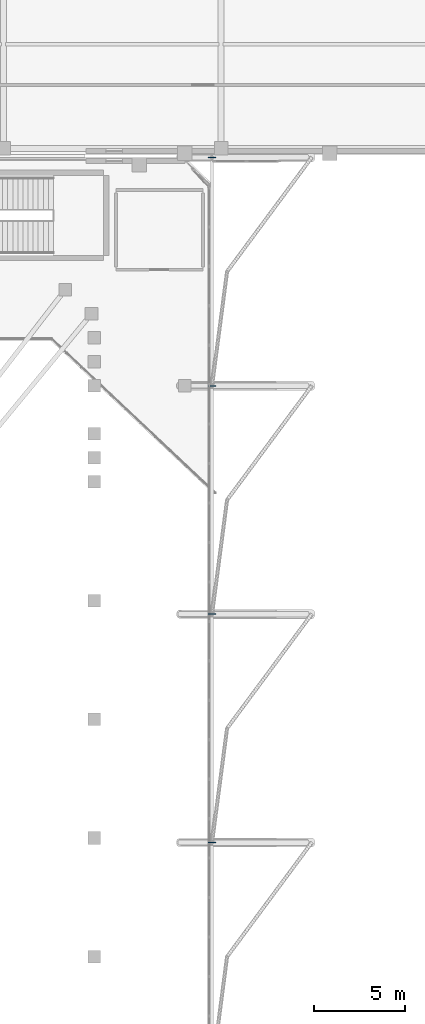
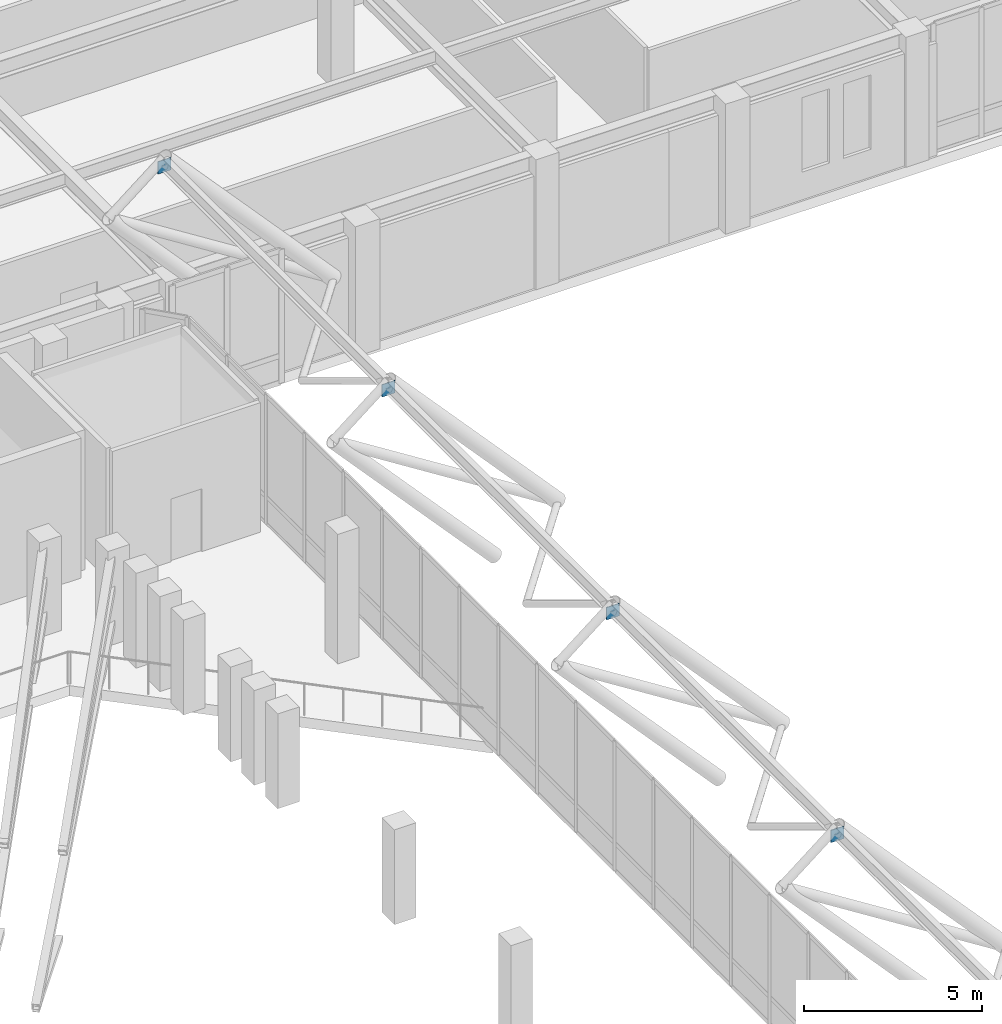
# One storey, part 53 of 79: 4 plates.
"""IFC4 building model written with IfcOpenShell, lengths in metres."""

from ifc_helpers import new_model, si_unit, derived_unit, direction, frame, origin, origin_2d, place, context, subcontext, project, spatial, rectangle, extrude, material, layer, layer_set, type_object, element, save


model = new_model("IFC4")

# Units and contexts
model_context = context("Model", 3, precision=1e-05, world=origin(), true_north=direction((0.0, 1.0)))
body_context = subcontext(model_context, "Body", "Model", "MODEL_VIEW")
ifc_project = project(units=[si_unit("LENGTHUNIT", "METRE"), si_unit("AREAUNIT", "SQUARE_METRE"), si_unit("VOLUMEUNIT", "CUBIC_METRE"), si_unit("PLANEANGLEUNIT", "RADIAN"), si_unit("MASSUNIT", "GRAM", prefix="KILO"), derived_unit("THERMALTRANSMITTANCEUNIT", [(si_unit("MASSUNIT", "GRAM", prefix="KILO"), 1), (si_unit("TIMEUNIT", "SECOND"), -3), (si_unit("THERMODYNAMICTEMPERATUREUNIT", "KELVIN"), -1)])], contexts=[model_context])

# Site, building, storey
site_placement = place(None, origin())
site = spatial("IfcSite", under=ifc_project, at=site_placement, CompositionType="ELEMENT")
building_placement = place(site_placement, origin())
building = spatial("IfcBuilding", under=site, at=building_placement, Name="Valcora Ridge Arena", CompositionType="ELEMENT")
storey_placement = place(building_placement, frame((0.0, 0.0, 16.199951171875)))
storey = spatial("IfcBuildingStorey", under=building, at=storey_placement, Name="L03", CompositionType="ELEMENT", Elevation=16.199951171875)

# Plates
ifc_material = material(Name="Steel ASTM A572 Grade 50", Category="steel")
ifc_layer = layer(ifc_material, 0.031982421875, Name="Steel ASTM A572 Grade 50")
ifc_layer_set = layer_set([ifc_layer], Name="Steel ASTM A572 Grade 50")
plate_type = type_object("IfcPlateType", Name="TY-PLATE-PL-NODE-32", PredefinedType="USERDEFINED", material=ifc_layer_set)
for number, where, z_axis, x_axis, name in (
    (1, (95.5, 70.39990234375, 8.374267578125), (0.0, 0.0, 1.0), (1.0, 0.0, 0.0), "PL-NODE-32 SF-GP-0068"),
    (2, (95.5, 83.0, 8.374267578125), (0.0, 0.0, 1.0), (1.0, 0.0, 0.0), "PL-NODE-32 SF-GP-0082"),
    (3, (95.5, 95.60009765625, 8.374267578125), (0.0, 0.0, 1.0), (1.0, 0.0, 0.0), "PL-NODE-32 SF-GP-0096"),
    (4, (95.5, 108.199951171875, 8.374267578125), (0.0, 0.0, 1.0), (1.0, 0.0, 0.0), "PL-NODE-32 SF-GP-0110"),
):
    element("IfcPlate", number, at=place(storey_placement, frame(where, z_axis=z_axis, x_axis=x_axis)), inside=storey, type_object=plate_type, Name=name, ObjectType="GUSSET_PLATE", PredefinedType="USERDEFINED", context=body_context, shape_type="SweptSolid", body=[
        extrude(rectangle(XDim=0.419921875, YDim=0.031982421875, at=origin_2d()), origin(), (0.0, 0.0, 1.0), 0.419921875),
    ])

save(model, "model.ifc")
